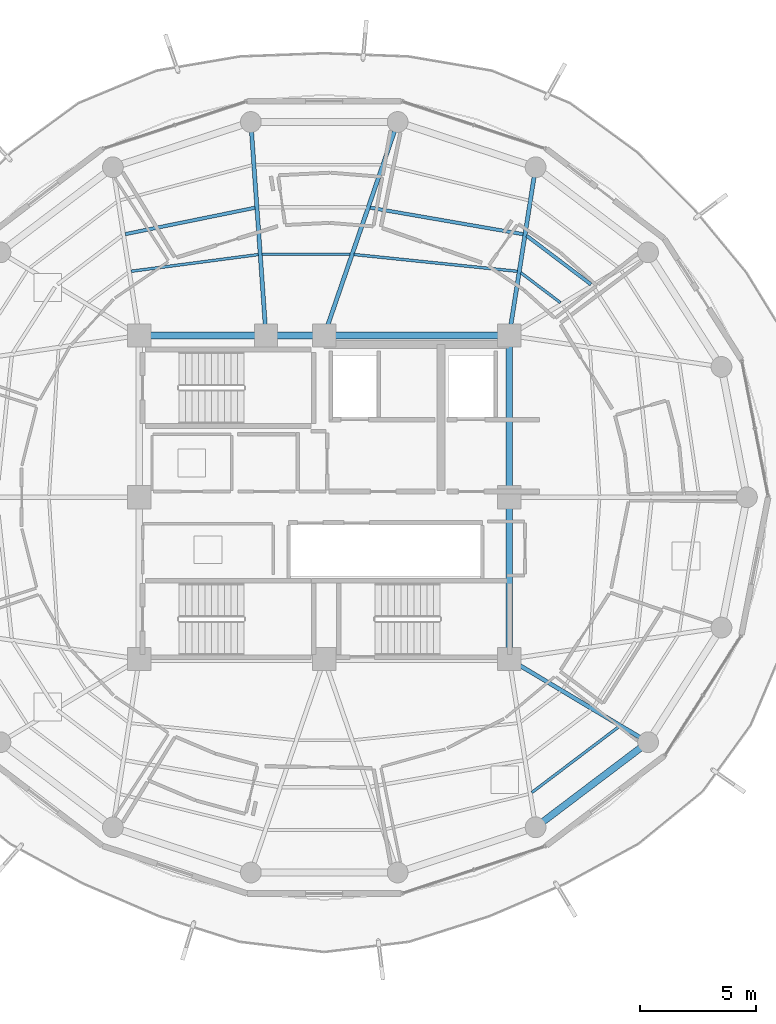
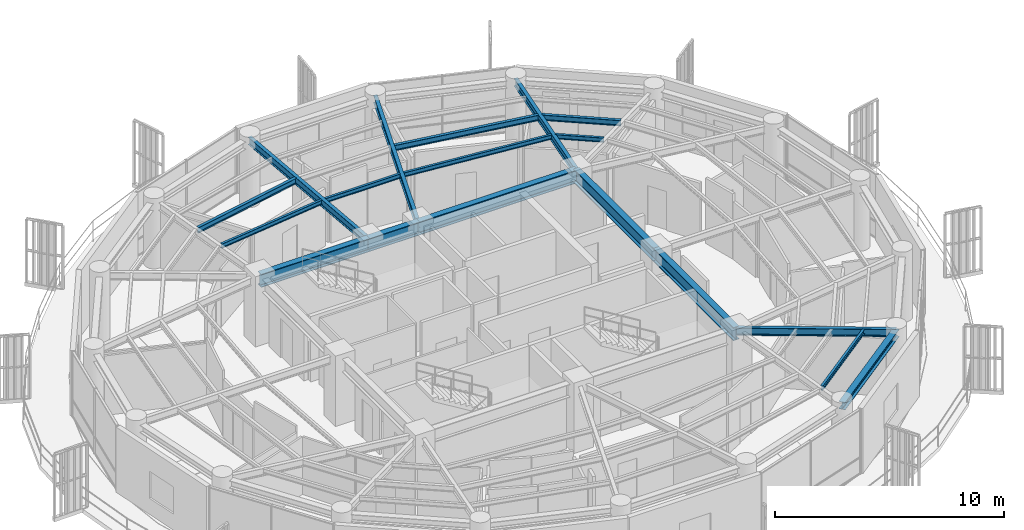
# One storey, part 9 of 23: 18 beams.
"""IFC4 building model written with IfcOpenShell, lengths in metres."""

from ifc_helpers import new_model, si_unit, direction, frame, origin, origin_2d, place, context, subcontext, project, spatial, i_section, extrude, material, material_profile, profile_set, type_object, element, save


model = new_model("IFC4")

# Units and contexts
model_context = context("Model", 3, precision=1e-05, world=origin(), true_north=direction((0.0, 1.0)))
body_context = subcontext(model_context, "Body", "Model", "MODEL_VIEW")
ifc_project = project(units=[si_unit("LENGTHUNIT", "METRE"), si_unit("AREAUNIT", "SQUARE_METRE"), si_unit("VOLUMEUNIT", "CUBIC_METRE"), si_unit("PLANEANGLEUNIT", "RADIAN"), si_unit("MASSUNIT", "GRAM", prefix="KILO")], contexts=[model_context])

# Site, building, storey
site_placement = place(None, origin())
site = spatial("IfcSite", under=ifc_project, at=site_placement, CompositionType="ELEMENT")
building_placement = place(site_placement, origin())
building = spatial("IfcBuilding", under=site, at=building_placement, Name="Kelanora Arch Commons", CompositionType="ELEMENT")
storey_placement = place(building_placement, frame((0.0, 0.0, 252.449951171875)))
storey = spatial("IfcBuildingStorey", under=building, at=storey_placement, Name="L64", CompositionType="ELEMENT", Elevation=252.449951171875)

# Beams
ifc_material = material(Name="Steel S355", Category="steel")
ifc_material_profile_1 = material_profile(ifc_material, i_section(OverallWidth=0.300048828125, OverallDepth=0.699951171875, WebThickness=0.01708984375, FlangeThickness=0.031982421875, FilletRadius=0.027099609375, at=origin_2d()), Name="HEB700")
ifc_profile_set_1 = profile_set([ifc_material_profile_1], Name="Steel S355")
beam_type_1 = type_object("IfcBeamType", Name="BM-CORE-HDR", PredefinedType="BEAM", material=ifc_profile_set_1)
for number, where, z_axis, x_axis, name in (
    (1, (82.0, 51.0, 3.14013671875), (0.0, 1.0, 0.0), (-1.0, 0.0, 0.0), "Core Header Beam 03 L64"),
    (2, (82.0, 58.0, 3.14013671875), (0.0, 1.0, 0.0), (-1.0, 0.0, 0.0), "Core Header Beam 04 L64"),
):
    element("IfcBeam", number, at=place(storey_placement, frame(where, z_axis=z_axis, x_axis=x_axis)), inside=storey, type_object=beam_type_1, Name=name, PredefinedType="BEAM", context=body_context, shape_type="SweptSolid", body=[
        extrude(i_section(OverallWidth=0.300048828125, OverallDepth=0.699951171875, WebThickness=0.01708984375, FlangeThickness=0.031982421875, FilletRadius=0.027099609375, at=origin_2d()), origin(), (0.0, 0.0, 1.0), 7.0),
    ])
beam_1_placement = place(storey_placement, frame((82.0, 65.0, 3.14013671875), z_axis=(-1.0, 0.0, 0.0), x_axis=(0.0, -1.0, 0.0)))
element("IfcBeam", 3, at=beam_1_placement, inside=storey, type_object=beam_type_1, Name="Core Header Beam 05 L64", PredefinedType="BEAM", context=body_context, shape_type="SweptSolid", body=[
    extrude(i_section(OverallWidth=0.300048828125, OverallDepth=0.699951171875, WebThickness=0.01708984375, FlangeThickness=0.031982421875, FilletRadius=0.027099609375, at=origin_2d()), origin(), (0.0, 0.0, 1.0), 8.0),
])
beam_2_placement = place(storey_placement, frame((74.0, 65.0, 3.14013671875), z_axis=(-1.0, 0.0, 0.0), x_axis=(0.0, -1.0, 0.0)))
element("IfcBeam", 4, at=beam_2_placement, inside=storey, type_object=beam_type_1, Name="Core Header Beam 06 L64", PredefinedType="BEAM", context=body_context, shape_type="SweptSolid", body=[
    extrude(i_section(OverallWidth=0.300048828125, OverallDepth=0.699951171875, WebThickness=0.01708984375, FlangeThickness=0.031982421875, FilletRadius=0.027099609375, at=origin_2d()), origin(), (0.0, 0.0, 1.0), 2.52001953125),
])
beam_3_placement = place(storey_placement, frame((71.47998046875, 65.0, 3.14013671875), z_axis=(-1.0, 0.0, 0.0), x_axis=(0.0, -1.0, 0.0)))
element("IfcBeam", 5, at=beam_3_placement, inside=storey, type_object=beam_type_1, Name="Core Header Beam 07 L64", PredefinedType="BEAM", context=body_context, shape_type="SweptSolid", body=[
    extrude(i_section(OverallWidth=0.300048828125, OverallDepth=0.699951171875, WebThickness=0.01708984375, FlangeThickness=0.031982421875, FilletRadius=0.027099609375, at=origin_2d()), origin(), (0.0, 0.0, 1.0), 5.47998046875),
])
ifc_material_profile_2 = material_profile(ifc_material, i_section(OverallWidth=0.14990234375, OverallDepth=0.300048828125, WebThickness=0.007080078125, FlangeThickness=0.0107421875, FilletRadius=0.014892578125, at=origin_2d()), Name="IPE300")
ifc_profile_set_2 = profile_set([ifc_material_profile_2], Name="Steel S355")
beam_type_2 = type_object("IfcBeamType", Name="BM-JST-01", PredefinedType="JOIST", material=ifc_profile_set_2)
beam_4_placement = place(storey_placement, frame((85.5341796875, 67.20703125, 3.340087890625), z_axis=(-0.797499198801, 0.603320004568, 0.0), x_axis=(-0.603320004568, -0.797499198801, 0.0)))
element("IfcBeam", 6, at=beam_4_placement, inside=storey, type_object=beam_type_2, Name="Secondary Chord Joist BJB-04 L64", PredefinedType="JOIST", context=body_context, shape_type="SweptSolid", body=[
    extrude(i_section(OverallWidth=0.14990234375, OverallDepth=0.300048828125, WebThickness=0.007080078125, FlangeThickness=0.0107421875, FilletRadius=0.014892578125, at=origin_2d()), origin(), (0.0, 0.0, 1.0), 3.489013671875),
])
beam_5_placement = place(storey_placement, frame((82.60009765625, 69.377685546875, 3.340087890625), z_axis=(-0.985321568263, 0.170708544357, 0.0), x_axis=(-0.170708544357, -0.985321568263, 0.0)))
element("IfcBeam", 7, at=beam_5_placement, inside=storey, type_object=beam_type_2, Name="Secondary Chord Joist BJB-06 L64", PredefinedType="JOIST", context=body_context, shape_type="SweptSolid", body=[
    extrude(i_section(OverallWidth=0.14990234375, OverallDepth=0.300048828125, WebThickness=0.007080078125, FlangeThickness=0.0107421875, FilletRadius=0.014892578125, at=origin_2d()), origin(), (0.0, 0.0, 1.0), 6.710205078125),
])
beam_6_placement = place(storey_placement, frame((71.004150390625, 70.520751953125, 3.340087890625), z_axis=(-0.979913482255, -0.199423086165, 0.0), x_axis=(0.199423086165, -0.979913482255, 0.0)))
element("IfcBeam", 8, at=beam_6_placement, inside=storey, type_object=beam_type_2, Name="Secondary Chord Joist BJB-10 L64", PredefinedType="JOIST", context=body_context, shape_type="SweptSolid", body=[
    extrude(i_section(OverallWidth=0.14990234375, OverallDepth=0.300048828125, WebThickness=0.007080078125, FlangeThickness=0.0107421875, FilletRadius=0.014892578125, at=origin_2d()), origin(), (0.0, 0.0, 1.0), 5.7197265625),
])
ifc_material_profile_3 = material_profile(ifc_material, i_section(OverallWidth=0.1201171875, OverallDepth=0.239990234375, WebThickness=0.006103515625, FlangeThickness=0.009765625, FilletRadius=0.014892578125, at=origin_2d()), Name="IPE240")
ifc_profile_set_3 = profile_set([ifc_material_profile_3], Name="Steel S355")
beam_type_3 = type_object("IfcBeamType", Name="BM-JST-02", PredefinedType="JOIST", material=ifc_profile_set_3)
beam_7_placement = place(storey_placement, frame((84.21337890625, 66.416748046875, 3.3701171875), z_axis=(-0.797509883882, 0.603305880222, 0.0), x_axis=(-0.603305880222, -0.797509883882, 0.0)))
element("IfcBeam", 9, at=beam_7_placement, inside=storey, type_object=beam_type_3, Name="Secondary Chord Joist BJA-04 L64", PredefinedType="JOIST", context=body_context, shape_type="SweptSolid", body=[
    extrude(i_section(OverallWidth=0.1201171875, OverallDepth=0.239990234375, WebThickness=0.006103515625, FlangeThickness=0.009765625, FilletRadius=0.014892578125, at=origin_2d()), origin(), (0.0, 0.0, 1.0), 2.147216796875),
])
beam_8_placement = place(storey_placement, frame((82.3486328125, 67.772216796875, 3.3701171875), z_axis=(-0.994746545688, 0.102368500239, 0.0), x_axis=(-0.102368500239, -0.994746545688, 0.0)))
element("IfcBeam", 10, at=beam_8_placement, inside=storey, type_object=beam_type_3, Name="Secondary Chord Joist BJA-06 L64", PredefinedType="JOIST", context=body_context, shape_type="SweptSolid", body=[
    extrude(i_section(OverallWidth=0.1201171875, OverallDepth=0.239990234375, WebThickness=0.006103515625, FlangeThickness=0.009765625, FilletRadius=0.014892578125, at=origin_2d()), origin(), (0.0, 0.0, 1.0), 7.09521484375),
])
beam_9_placement = place(storey_placement, frame((75.12109375, 68.507080078125, 3.3701171875), z_axis=(-1.0, 0.0, 0.0), x_axis=(0.0, -1.0, 0.0)))
element("IfcBeam", 11, at=beam_9_placement, inside=storey, type_object=beam_type_3, Name="Secondary Chord Joist BJA-08 L64", PredefinedType="JOIST", context=body_context, shape_type="SweptSolid", body=[
    extrude(i_section(OverallWidth=0.1201171875, OverallDepth=0.239990234375, WebThickness=0.006103515625, FlangeThickness=0.009765625, FilletRadius=0.014892578125, at=origin_2d()), origin(), (0.0, 0.0, 1.0), 3.8046875),
])
beam_10_placement = place(storey_placement, frame((71.147216796875, 68.49609375, 3.3701171875), z_axis=(-0.991489038745, -0.130190191832, 0.0), x_axis=(0.130190191832, -0.991489038745, 0.0)))
element("IfcBeam", 12, at=beam_10_placement, inside=storey, type_object=beam_type_3, Name="Secondary Chord Joist BJA-10 L64", PredefinedType="JOIST", context=body_context, shape_type="SweptSolid", body=[
    extrude(i_section(OverallWidth=0.1201171875, OverallDepth=0.239990234375, WebThickness=0.006103515625, FlangeThickness=0.009765625, FilletRadius=0.014892578125, at=origin_2d()), origin(), (0.0, 0.0, 1.0), 5.543212890625),
])
beam_11_placement = place(storey_placement, frame((82.979736328125, 45.233642578125, 3.3701171875), z_axis=(0.79752302984, 0.60328850219, 0.0), x_axis=(-0.60328850219, 0.79752302984, 0.0)))
element("IfcBeam", 13, at=beam_11_placement, inside=storey, type_object=beam_type_3, Name="Secondary Chord Joist BJC-30 L64", PredefinedType="JOIST", context=body_context, shape_type="SweptSolid", body=[
    extrude(i_section(OverallWidth=0.1201171875, OverallDepth=0.239990234375, WebThickness=0.006103515625, FlangeThickness=0.009765625, FilletRadius=0.014892578125, at=origin_2d()), origin(), (0.0, 0.0, 1.0), 4.70849609375),
])
ifc_material_profile_4 = material_profile(ifc_material, i_section(OverallWidth=0.179931640625, OverallDepth=0.39990234375, WebThickness=0.008544921875, FlangeThickness=0.013427734375, FilletRadius=0.02099609375, at=origin_2d()), Name="IPE400")
ifc_profile_set_4 = profile_set([ifc_material_profile_4], Name="Steel S355")
beam_type_4 = type_object("IfcBeamType", Name="BM-RAD-Z5", PredefinedType="BEAM", material=ifc_profile_set_4)
beam_12_placement = place(storey_placement, frame((82.0, 65.0, 3.2900390625), z_axis=(0.154855424129, 0.987937142544, 0.0), x_axis=(-0.987937142544, 0.154855424129, 0.0)))
element("IfcBeam", 14, at=beam_12_placement, inside=storey, type_object=beam_type_4, Name="Radial Floor Girder BR-06 L64", PredefinedType="BEAM", context=body_context, shape_type="SweptSolid", body=[
    extrude(i_section(OverallWidth=0.179931640625, OverallDepth=0.39990234375, WebThickness=0.008544921875, FlangeThickness=0.013427734375, FilletRadius=0.02099609375, at=origin_2d()), origin(), (0.0, 0.0, 1.0), 7.361083984375),
])
beam_13_placement = place(storey_placement, frame((74.0, 65.0, 3.2900390625), z_axis=(0.325233562807, 0.945633718532, 0.0), x_axis=(-0.945633718532, 0.325233562807, 0.0)))
element("IfcBeam", 15, at=beam_13_placement, inside=storey, type_object=beam_type_4, Name="Radial Floor Girder BR-08 L64", PredefinedType="BEAM", context=body_context, shape_type="SweptSolid", body=[
    extrude(i_section(OverallWidth=0.179931640625, OverallDepth=0.39990234375, WebThickness=0.008544921875, FlangeThickness=0.013427734375, FilletRadius=0.02099609375, at=origin_2d()), origin(), (0.0, 0.0, 1.0), 9.760009765625),
])
beam_14_placement = place(storey_placement, frame((71.47998046875, 65.0, 3.2900390625), z_axis=(-0.070714497892, 0.997496596379, 0.0), x_axis=(-0.997496596379, -0.070714497892, 0.0)))
element("IfcBeam", 16, at=beam_14_placement, inside=storey, type_object=beam_type_4, Name="Radial Floor Girder BR-10 L64", PredefinedType="BEAM", context=body_context, shape_type="SweptSolid", body=[
    extrude(i_section(OverallWidth=0.179931640625, OverallDepth=0.39990234375, WebThickness=0.008544921875, FlangeThickness=0.013427734375, FilletRadius=0.02099609375, at=origin_2d()), origin(), (0.0, 0.0, 1.0), 9.252685546875),
])
beam_15_placement = place(storey_placement, frame((82.0, 51.0, 3.2900390625), z_axis=(0.858062005744, -0.513546097541, 0.0), x_axis=(0.513546097541, 0.858062005744, 0.0)))
element("IfcBeam", 17, at=beam_15_placement, inside=storey, type_object=beam_type_4, Name="Radial Floor Girder BR-32 L64", PredefinedType="BEAM", context=body_context, shape_type="SweptSolid", body=[
    extrude(i_section(OverallWidth=0.179931640625, OverallDepth=0.39990234375, WebThickness=0.008544921875, FlangeThickness=0.013427734375, FilletRadius=0.02099609375, at=origin_2d()), origin(), (0.0, 0.0, 1.0), 6.99658203125),
])
ifc_material_profile_5 = material_profile(ifc_material, i_section(OverallWidth=0.300048828125, OverallDepth=0.39990234375, WebThickness=0.013427734375, FlangeThickness=0.02392578125, FilletRadius=0.027099609375, at=origin_2d()), Name="HEB400")
ifc_profile_set_5 = profile_set([ifc_material_profile_5], Name="Steel S355")
beam_type_5 = type_object("IfcBeamType", Name="BM-SPN-Z4", PredefinedType="SPANDREL", material=ifc_profile_set_5)
beam_16_placement = place(storey_placement, frame((83.139892578125, 43.727783203125, 3.2900390625), z_axis=(0.797509460967, 0.603306439273, 0.0), x_axis=(-0.603306439273, 0.797509460967, 0.0)))
element("IfcBeam", 18, at=beam_16_placement, inside=storey, type_object=beam_type_5, Name="Perimeter Spandrel Beam BS-30 L64", PredefinedType="SPANDREL", context=body_context, shape_type="SweptSolid", body=[
    extrude(i_section(OverallWidth=0.300048828125, OverallDepth=0.39990234375, WebThickness=0.013427734375, FlangeThickness=0.02392578125, FilletRadius=0.027099609375, at=origin_2d()), origin(), (0.0, 0.0, 1.0), 6.098388671875),
])

save(model, "model.ifc")
